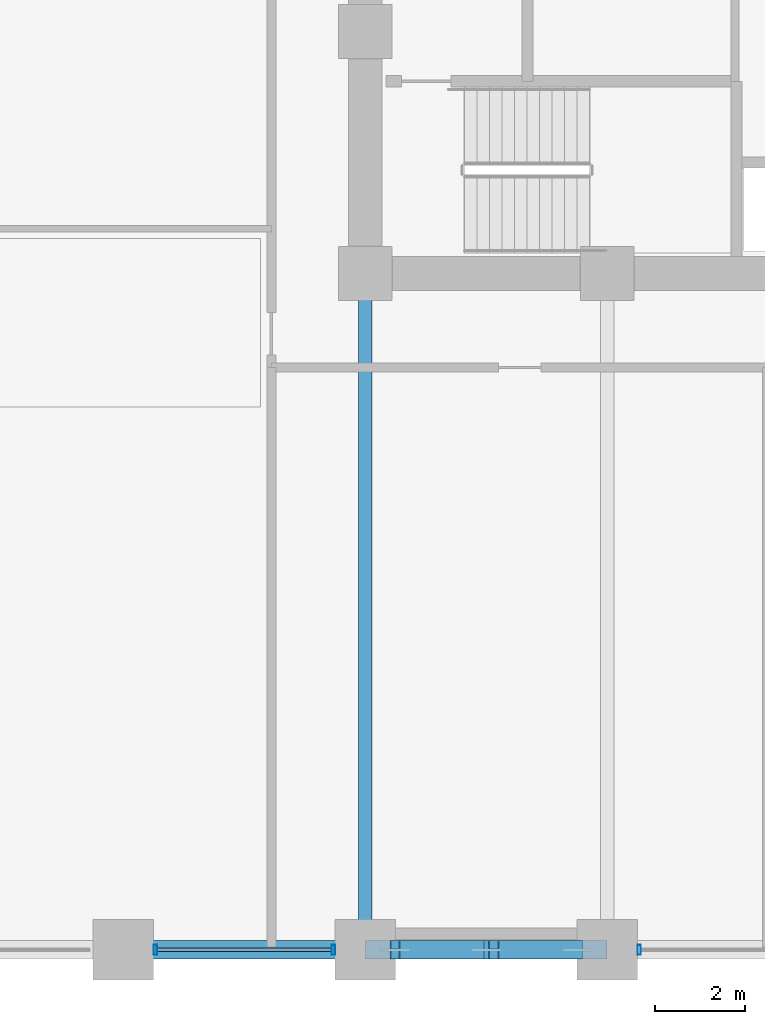
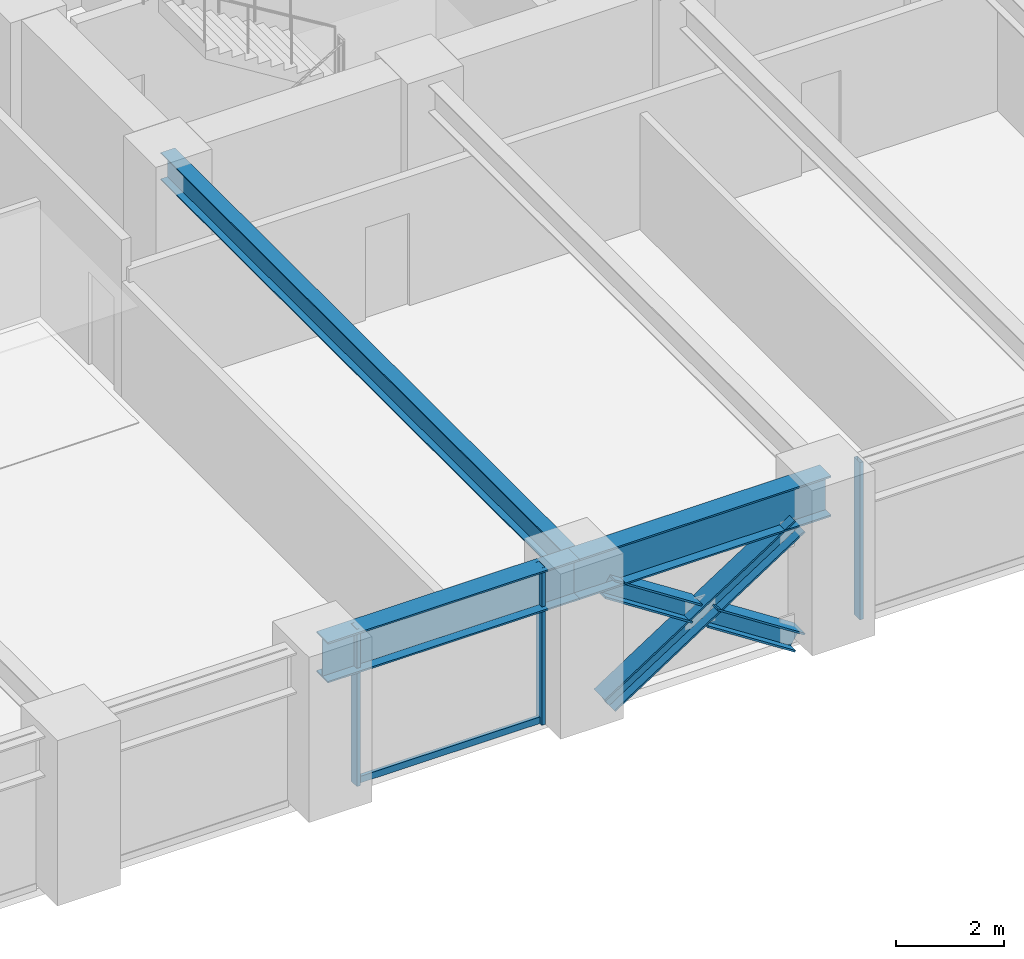
# One storey, part 4 of 25: 7 members, 3 beams, 2 elements without a shape of their own.
"""IFC4 building model written with IfcOpenShell, lengths in metres."""

from ifc_helpers import new_model, si_unit, direction, frame, origin, origin_2d, place, context, subcontext, project, spatial, hollow_rectangle, i_section, extrude, material, layer, layer_set, material_profile, profile_set, type_object, element, aggregate, save


model = new_model("IFC4")

# Units and contexts
model_context = context("Model", 3, precision=1e-05, world=origin(), true_north=direction((0.0, 1.0)))
body_context = subcontext(model_context, "Body", "Model", "MODEL_VIEW")
ifc_project = project(units=[si_unit("LENGTHUNIT", "METRE"), si_unit("AREAUNIT", "SQUARE_METRE"), si_unit("VOLUMEUNIT", "CUBIC_METRE"), si_unit("PLANEANGLEUNIT", "RADIAN"), si_unit("MASSUNIT", "GRAM", prefix="KILO")], contexts=[model_context])

# Site, building, storey
site_placement = place(None, origin())
site = spatial("IfcSite", under=ifc_project, at=site_placement, CompositionType="ELEMENT")
building_placement = place(site_placement, origin())
building = spatial("IfcBuilding", under=site, at=building_placement, Name="Surkhivell Harbour Commons", CompositionType="ELEMENT")
storey_placement = place(building_placement, frame((0.0, 0.0, 48.75)))
storey = spatial("IfcBuildingStorey", under=building, at=storey_placement, Name="L12", CompositionType="ELEMENT", Elevation=48.75)

# Beams
ifc_material_1 = material(Name="Steel S355", Category="steel")
ifc_material_profile_1 = material_profile(ifc_material_1, i_section(OverallWidth=0.306884765625, OverallDepth=0.6201171875, WebThickness=0.01416015625, FlangeThickness=0.023681640625, at=origin_2d()), Name="UB610x305x179")
ifc_profile_set_1 = profile_set([ifc_material_profile_1], Name="Steel S355")
beam_type_1 = type_object("IfcBeamType", Name="BM-GRD-610A", PredefinedType="BEAM", material=ifc_profile_set_1)
beam_1_placement = place(storey_placement, frame((-10.800048828125, -25.89990234375, 3.260009765625), z_axis=(0.0, 1.0, 0.0), x_axis=(-1.0, 0.0, 0.0)))
element("IfcBeam", 1, at=beam_1_placement, inside=storey, type_object=beam_type_1, Name="L12 Floor Girder (-10.8,-25.9)", PredefinedType="BEAM", context=body_context, shape_type="SweptSolid", body=[
    extrude(i_section(OverallWidth=0.306884765625, OverallDepth=0.6201171875, WebThickness=0.01416015625, FlangeThickness=0.023681640625, at=origin_2d()), origin(), (0.0, 0.0, 1.0), 15.099853515625),
])
ifc_material_2 = material(Name="Steel S460", Category="steel")
ifc_material_profile_2 = material_profile(ifc_material_2, i_section(OverallWidth=0.419921875, OverallDepth=0.9208984375, WebThickness=0.021484375, FlangeThickness=0.03662109375, at=origin_2d()), Name="UB914x419x388")
ifc_profile_set_2 = profile_set([ifc_material_profile_2], Name="Steel S460")
beam_type_2 = type_object("IfcBeamType", Name="BM-SPN-914A", PredefinedType="SPANDREL", material=ifc_profile_set_2)
beam_2_placement = place(storey_placement, frame((-16.199951171875, -25.89990234375, 3.109619140625), z_axis=(1.0, 0.0, 0.0), x_axis=(0.0, 1.0, 0.0)))
element("IfcBeam", 2, at=beam_2_placement, inside=storey, type_object=beam_type_2, Name="L12 Tube Spandrel (-16.2,-25.9)", PredefinedType="SPANDREL", context=body_context, shape_type="SweptSolid", body=[
    extrude(i_section(OverallWidth=0.419921875, OverallDepth=0.9208984375, WebThickness=0.021484375, FlangeThickness=0.03662109375, at=origin_2d()), origin(), (0.0, 0.0, 1.0), 5.39990234375),
])
beam_3_placement = place(storey_placement, frame((-10.800048828125, -25.89990234375, 3.109619140625), z_axis=(1.0, 0.0, 0.0), x_axis=(0.0, 1.0, 0.0)))
element("IfcBeam", 3, at=beam_3_placement, inside=storey, type_object=beam_type_2, Name="L12 Tube Spandrel (-10.8,-25.9)", PredefinedType="SPANDREL", context=body_context, shape_type="SweptSolid", body=[
    extrude(i_section(OverallWidth=0.419921875, OverallDepth=0.9208984375, WebThickness=0.021484375, FlangeThickness=0.03662109375, at=origin_2d()), origin(), (0.0, 0.0, 1.0), 5.400146484375),
])

# Curtain wall, members
ifc_material_3 = material(Name="Anodised pale-metal aluminium and insulated glazing", Category="aluminium")
ifc_layer = layer(ifc_material_3, 0.219970703125)
ifc_layer_set = layer_set([ifc_layer], Name="Anodised pale-metal aluminium and insulated glazing")
curtain_wall_type = type_object("IfcCurtainWallType", Name="CW-SYS-Z1", PredefinedType="NOTDEFINED", material=ifc_layer_set)
curtain_wall_1_placement = place(storey_placement, origin())
curtain_wall_1 = element("IfcCurtainWall", 4, at=curtain_wall_1_placement, inside=storey, type_object=curtain_wall_type, Name="L12 Curtain Wall CW-L12-E00S1", PredefinedType="NOTDEFINED")
ifc_material_4 = material(Name="Anodised pale-metal aluminium alloy 6063-T6", Category="aluminium")
ifc_material_profile_3 = material_profile(ifc_material_4, hollow_rectangle(XDim=0.074951171875, YDim=0.219970703125, WallThickness=0.00390625, at=origin_2d()), Name="ALU-MULL-75x220")
ifc_profile_set_3 = profile_set([ifc_material_profile_3], Name="Anodised pale-metal aluminium alloy 6063-T6")
member_type_1 = type_object("IfcMemberType", Name="CWM-220", PredefinedType="MULLION", material=ifc_profile_set_3)
member_1_placement = place(storey_placement, frame((-15.485595703125, -25.89990234375, 0.0), z_axis=(0.0, 0.0, 1.0), x_axis=(1.0, 0.0, 0.0)))
member_1 = element("IfcMember", 5, at=member_1_placement, type_object=member_type_1, Name="CW-Z1 mullion 3", PredefinedType="MULLION", context=body_context, shape_type="SweptSolid", body=[
    extrude(hollow_rectangle(XDim=0.074951171875, YDim=0.219970703125, WallThickness=0.00390625, at=origin_2d()), origin(), (0.0, 0.0, 1.0), 3.570068359375),
])
member_2_placement = place(storey_placement, frame((-11.514404296875, -25.89990234375, 0.0), z_axis=(0.0, 0.0, 1.0), x_axis=(1.0, 0.0, 0.0)))
member_2 = element("IfcMember", 6, at=member_2_placement, type_object=member_type_1, Name="CW-Z1 mullion 4", PredefinedType="MULLION", context=body_context, shape_type="SweptSolid", body=[
    extrude(hollow_rectangle(XDim=0.074951171875, YDim=0.219970703125, WallThickness=0.00390625, at=origin_2d()), origin(), (0.0, 0.0, 1.0), 3.570068359375),
])

# Curtain wall, member
curtain_wall_2_placement = place(storey_placement, origin())
curtain_wall_2 = element("IfcCurtainWall", 7, at=curtain_wall_2_placement, inside=storey, type_object=curtain_wall_type, Name="L12 Curtain Wall CW-L12-E00S2", PredefinedType="NOTDEFINED")
member_3_placement = place(storey_placement, frame((-4.685546875, -25.89990234375, 0.0), z_axis=(0.0, 0.0, 1.0), x_axis=(1.0, 0.0, 0.0)))
member_3 = element("IfcMember", 8, at=member_3_placement, type_object=member_type_1, Name="CW-Z1 mullion 1", PredefinedType="MULLION", context=body_context, shape_type="SweptSolid", body=[
    extrude(hollow_rectangle(XDim=0.074951171875, YDim=0.219970703125, WallThickness=0.00390625, at=origin_2d()), origin(), (0.0, 0.0, 1.0), 3.570068359375),
])
aggregate(curtain_wall_2, [member_3])

# Member
ifc_material_profile_4 = material_profile(ifc_material_4, hollow_rectangle(XDim=0.074951171875, YDim=0.14990234375, WallThickness=0.00341796875, at=origin_2d()), Name="ALU-TRAN-75x150")
ifc_profile_set_4 = profile_set([ifc_material_profile_4], Name="Anodised pale-metal aluminium alloy 6063-T6")
member_type_2 = type_object("IfcMemberType", Name="CWT-150", PredefinedType="USERDEFINED", material=ifc_profile_set_4)
member_4_placement = place(storey_placement, frame((-15.447998046875, -25.89990234375, 0.074951171875), z_axis=(1.0, 0.0, 0.0), x_axis=(0.0, 1.0, 0.0)))
member_4 = element("IfcMember", 9, at=member_4_placement, type_object=member_type_2, Name="CW-Z1 transom 3.1", ObjectType="TRANSOM", PredefinedType="USERDEFINED", context=body_context, shape_type="SweptSolid", body=[
    extrude(hollow_rectangle(XDim=0.074951171875, YDim=0.14990234375, WallThickness=0.00341796875, at=origin_2d()), origin(), (0.0, 0.0, 1.0), 3.89599609375),
])

aggregate(curtain_wall_1, [member_1, member_2, member_4])

# Members
ifc_material_profile_5 = material_profile(ifc_material_2, i_section(OverallWidth=0.406005859375, OverallDepth=0.416015625, WebThickness=0.026611328125, FlangeThickness=0.0390625, at=origin_2d()), Name="HD400x382")
ifc_profile_set_5 = profile_set([ifc_material_profile_5], Name="Steel S460")
member_type_3 = type_object("IfcMemberType", Name="MEM-BRC-HD382", PredefinedType="BRACE", material=ifc_profile_set_5)
member_5_placement = place(storey_placement, frame((-10.139892578125, -25.89990234375, 0.008056640625), z_axis=(0.839088897369, 0.0, 0.543994321949), x_axis=(0.0, 1.0, 0.0)))
element("IfcMember", 10, at=member_5_placement, inside=storey, type_object=member_type_3, Name="L12 Perimeter Mega-Brace MB- 07", PredefinedType="BRACE", context=body_context, shape_type="SweptSolid", body=[
    extrude(i_section(OverallWidth=0.406005859375, OverallDepth=0.416015625, WebThickness=0.026611328125, FlangeThickness=0.0390625, at=origin_2d()), origin(), (0.0, 0.0, 1.0), 4.8623046875),
])
for number, where, z_axis, x_axis, name in (
    (11, (-6.06005859375, -25.89990234375, 0.008056640625), (-0.83908547242, 0.0, 0.543999604756), (0.0, -1.0, 0.0), "L12 Perimeter Mega-Brace MB- 08"),
    (12, (-8.267578125, -25.89990234375, 1.439208984375), (-0.83908547242, 0.0, 0.543999604756), (0.0, -1.0, 0.0), "L12 Perimeter Mega-Brace MB- 09"),
):
    element("IfcMember", number, at=place(storey_placement, frame(where, z_axis=z_axis, x_axis=x_axis)), inside=storey, type_object=member_type_3, Name=name, PredefinedType="BRACE", context=body_context, shape_type="SweptSolid", body=[
        extrude(i_section(OverallWidth=0.406005859375, OverallDepth=0.416015625, WebThickness=0.026611328125, FlangeThickness=0.0390625, at=origin_2d()), origin(), (0.0, 0.0, 1.0), 2.2314453125),
    ])

save(model, "model.ifc")
